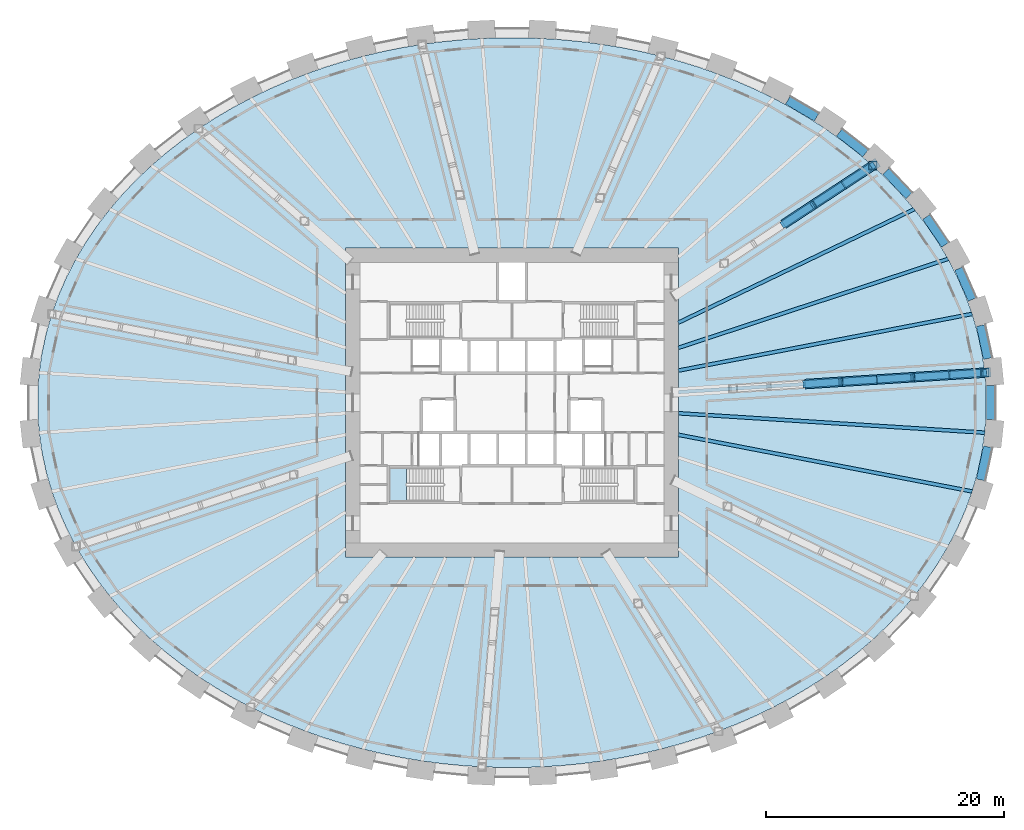
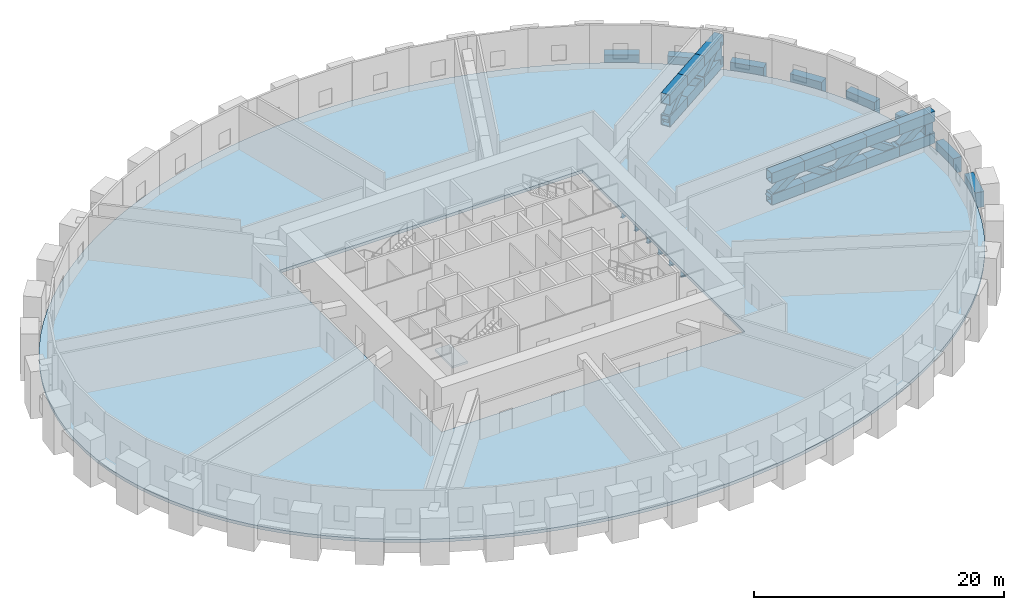
# One storey, part 6 of 14: 26 members, 14 beams, 2 slabs, 1 element without a shape of its own.
"""IFC4 building model written with IfcOpenShell, lengths in metres."""

from ifc_helpers import new_model, si_unit, direction, frame, origin, origin_2d, place, context, subcontext, project, spatial, polyline, rectangle, hollow_rectangle, i_section, outline, extrude, source, transform, mapped, material, layer, layer_set, material_profile, profile_set, type_object, element, aggregate, save


model = new_model("IFC4")

# Units and contexts
model_context = context("Model", 3, precision=1e-05, world=origin(), true_north=direction((0.0, 1.0)))
body_context = subcontext(model_context, "Body", "Model", "MODEL_VIEW")
ifc_project = project(units=[si_unit("LENGTHUNIT", "METRE"), si_unit("AREAUNIT", "SQUARE_METRE"), si_unit("VOLUMEUNIT", "CUBIC_METRE"), si_unit("PLANEANGLEUNIT", "RADIAN"), si_unit("MASSUNIT", "GRAM", prefix="KILO")], contexts=[model_context])

# Site, building, storey
site_placement = place(None, origin())
site = spatial("IfcSite", under=ifc_project, at=site_placement, CompositionType="ELEMENT")
building_placement = place(site_placement, origin())
building = spatial("IfcBuilding", under=site, at=building_placement, Name="Embergate Tower", CompositionType="ELEMENT")
storey_placement = place(building_placement, frame((0.0, 0.0, 101.0)))
storey = spatial("IfcBuildingStorey", under=building, at=storey_placement, Name="L21", CompositionType="ELEMENT", Elevation=101.0)

# Beams
ifc_material_1 = material(Name="Concrete C70", Category="concrete")
ifc_material_profile_1 = material_profile(ifc_material_1, rectangle(XDim=0.75, YDim=1.5, at=origin_2d()), Name="RC 750x1500")
ifc_profile_set_1 = profile_set([ifc_material_profile_1], Name="Concrete C70")
beam_type_1 = type_object("IfcBeamType", Name="Spandrel beam RC 750x1500 C70", PredefinedType="BEAM", material=ifc_profile_set_1)
shared_shape_1 = source(origin(), body_context, "Body", "SweptSolid", [
    extrude(rectangle(XDim=0.75, YDim=1.5, at=origin_2d()), origin(), (0.0, 0.0, 1.0), 2.845703125),
])
for number, where, z_axis, x_axis, name in (
    (1, (40.032958984375, 3.7109375, 0.0), (-0.210448858384, 0.977604868035, 0.0), (-0.977604868035, -0.210448858384, 0.0), "SPN-L21-00"),
    (2, (39.43408203125, -6.492919921875, 0.0), (0.210448858384, 0.977604868035, 0.0), (-0.977604868035, 0.210448858384, 0.0), "SPN-L21-42"),
):
    element("IfcBeam", number, at=place(storey_placement, frame(where, z_axis=z_axis, x_axis=x_axis)), inside=storey, type_object=beam_type_1, Name=name, PredefinedType="BEAM", context=body_context, shape_type="MappedRepresentation", body=[
        mapped(shared_shape_1, transform((0.0, 0.0, 0.0))),
    ])
shared_shape_2 = source(origin(), body_context, "Body", "SweptSolid", [
    extrude(rectangle(XDim=0.75, YDim=1.5, at=origin_2d()), origin(), (0.0, 0.0, 1.0), 2.84130859375),
])
beam_1_placement = place(storey_placement, frame((38.72705078125, 8.680908203125, 0.0), z_axis=(-0.401621037759, 0.915805952169, 0.0), x_axis=(-0.915805952169, -0.401621037759, 0.0)))
element("IfcBeam", 3, at=beam_1_placement, inside=storey, type_object=beam_type_1, Name="SPN-L21-01", PredefinedType="BEAM", context=body_context, shape_type="MappedRepresentation", body=[
    mapped(shared_shape_2, transform((0.0, 0.0, 0.0))),
])
shared_shape_3 = source(origin(), body_context, "Body", "SweptSolid", [
    extrude(rectangle(XDim=0.75, YDim=1.5, at=origin_2d()), origin(), (0.0, 0.0, 1.0), 2.83203125),
])
beam_2_placement = place(storey_placement, frame((36.455078125, 13.285888671875, 0.0), z_axis=(-0.56217796331, 0.827016286157, 0.0), x_axis=(-0.827016286157, -0.56217796331, 0.0)))
element("IfcBeam", 4, at=beam_2_placement, inside=storey, type_object=beam_type_1, Name="SPN-L21-02", PredefinedType="BEAM", context=body_context, shape_type="MappedRepresentation", body=[
    mapped(shared_shape_3, transform((0.0, 0.0, 0.0))),
])
shared_shape_4 = source(origin(), body_context, "Body", "SweptSolid", [
    extrude(rectangle(XDim=0.75, YDim=1.5, at=origin_2d()), origin(), (0.0, 0.0, 1.0), 2.826171875),
])
beam_3_placement = place(storey_placement, frame((33.41796875, 17.4169921875, 0.0), z_axis=(-0.690282598808, 0.723539863299, 0.0), x_axis=(-0.723539863299, -0.690282598808, 0.0)))
element("IfcBeam", 5, at=beam_3_placement, inside=storey, type_object=beam_type_1, Name="SPN-L21-03", PredefinedType="BEAM", context=body_context, shape_type="MappedRepresentation", body=[
    mapped(shared_shape_4, transform((0.0, 0.0, 0.0))),
])
shared_shape_5 = source(origin(), body_context, "Body", "SweptSolid", [
    extrude(rectangle(XDim=0.75, YDim=1.5, at=origin_2d()), origin(), (0.0, 0.0, 1.0), 2.817138671875),
])
beam_4_placement = place(storey_placement, frame((29.7490234375, 20.990966796875, 0.0), z_axis=(-0.788361915434, 0.615211744275, 0.0), x_axis=(-0.615211744275, -0.788361915434, 0.0)))
element("IfcBeam", 6, at=beam_4_placement, inside=storey, type_object=beam_type_1, Name="SPN-L21-04", PredefinedType="BEAM", context=body_context, shape_type="MappedRepresentation", body=[
    mapped(shared_shape_5, transform((0.0, 0.0, 0.0))),
])
shared_shape_6 = source(origin(), body_context, "Body", "SweptSolid", [
    extrude(rectangle(XDim=0.75, YDim=1.5, at=origin_2d()), origin(), (0.0, 0.0, 1.0), 2.813232421875),
])
beam_5_placement = place(storey_placement, frame((25.6259765625, 24.01708984375, 0.0), z_axis=(-0.862007825953, 0.506894967421, 0.0), x_axis=(-0.506894967421, -0.862007825953, 0.0)))
element("IfcBeam", 7, at=beam_5_placement, inside=storey, type_object=beam_type_1, Name="SPN-L21-05", PredefinedType="BEAM", context=body_context, shape_type="MappedRepresentation", body=[
    mapped(shared_shape_6, transform((0.0, 0.0, 0.0))),
])
shared_shape_7 = source(origin(), body_context, "Body", "SweptSolid", [
    extrude(rectangle(XDim=0.75, YDim=1.5, at=origin_2d()), origin(), (0.0, 0.0, 1.0), 2.85205078125),
])
beam_6_placement = place(storey_placement, frame((40.2958984375, -1.426025390625, 0.0), z_axis=(0.0, 1.0, 0.0), x_axis=(-1.0, 0.0, 0.0)))
element("IfcBeam", 8, at=beam_6_placement, inside=storey, type_object=beam_type_1, Name="SPN-L21-43", PredefinedType="BEAM", context=body_context, shape_type="MappedRepresentation", body=[
    mapped(shared_shape_7, transform((0.0, 0.0, 0.0))),
])
ifc_material_2 = material(Name="Steel Q355B", Category="steel")
ifc_material_profile_2 = material_profile(ifc_material_2, i_section(OverallWidth=0.300048828125, OverallDepth=0.587890625, WebThickness=0.011962890625, FlangeThickness=0.02001953125, FilletRadius=0.012939453125, at=origin_2d()), Name="HM 588x300x12x20")
ifc_profile_set_2 = profile_set([ifc_material_profile_2], Name="Steel Q355 grade B")
beam_type_2 = type_object("IfcBeamType", Name="Plant girder HM 588x300x12x20", PredefinedType="BEAM", material=ifc_profile_set_2)
shared_shape_8 = source(origin(), body_context, "Body", "SweptSolid", [
    extrude(i_section(OverallWidth=0.300048828125, OverallDepth=0.587890625, WebThickness=0.011962890625, FlangeThickness=0.02001953125, FilletRadius=0.012939453125, at=origin_2d()), origin(), (0.0, 0.0, 1.0), 25.8330078125),
])
for number, where, z_axis, x_axis, name in (
    (9, (39.781005859375, 2.527099609375, -0.593994140625), (-0.997987282957, -0.063414375786, 0.0), (0.063414375786, -0.997987282957, 0.0), "GIR-L21-00"),
    (10, (39.781005859375, -2.527099609375, -0.593994140625), (-0.997987282957, 0.063414375786, 0.0), (-0.063414375786, -0.997987282957, 0.0), "GIR-L21-43"),
):
    element("IfcBeam", number, at=place(storey_placement, frame(where, z_axis=z_axis, x_axis=x_axis)), inside=storey, type_object=beam_type_2, Name=name, PredefinedType="BEAM", context=body_context, shape_type="MappedRepresentation", body=[
        mapped(shared_shape_8, transform((0.0, 0.0, 0.0))),
    ])
shared_shape_9 = source(origin(), body_context, "Body", "SweptSolid", [
    extrude(i_section(OverallWidth=0.300048828125, OverallDepth=0.587890625, WebThickness=0.011962890625, FlangeThickness=0.02001953125, FilletRadius=0.012939453125, at=origin_2d()), origin(), (0.0, 0.0, 1.0), 25.173583984375),
])
for number, where, z_axis, x_axis, name in (
    (11, (38.718017578125, 7.468994140625, -0.593994140625), (-0.981898721565, -0.189406706822, 0.0), (0.189406706822, -0.981898721565, 0.0), "GIR-L21-01"),
    (12, (38.718017578125, -7.468994140625, -0.593994140625), (-0.981898721565, 0.189406706822, 0.0), (-0.189406706822, -0.981898721565, 0.0), "GIR-L21-42"),
):
    element("IfcBeam", number, at=place(storey_placement, frame(where, z_axis=z_axis, x_axis=x_axis)), inside=storey, type_object=beam_type_2, Name=name, PredefinedType="BEAM", context=body_context, shape_type="MappedRepresentation", body=[
        mapped(shared_shape_9, transform((0.0, 0.0, 0.0))),
    ])
shared_shape_10 = source(origin(), body_context, "Body", "SweptSolid", [
    extrude(i_section(OverallWidth=0.300048828125, OverallDepth=0.587890625, WebThickness=0.011962890625, FlangeThickness=0.02001953125, FilletRadius=0.012939453125, at=origin_2d()), origin(), (0.0, 0.0, 1.0), 23.889892578125),
])
beam_7_placement = place(storey_placement, frame((36.68798828125, 12.09912109375, -0.593994140625), z_axis=(-0.949689151569, -0.313194053891, 0.0), x_axis=(0.313194053891, -0.949689151569, 0.0)))
element("IfcBeam", 13, at=beam_7_placement, inside=storey, type_object=beam_type_2, Name="GIR-L21-02", PredefinedType="BEAM", context=body_context, shape_type="MappedRepresentation", body=[
    mapped(shared_shape_10, transform((0.0, 0.0, 0.0))),
])
shared_shape_11 = source(origin(), body_context, "Body", "SweptSolid", [
    extrude(i_section(OverallWidth=0.300048828125, OverallDepth=0.587890625, WebThickness=0.011962890625, FlangeThickness=0.02001953125, FilletRadius=0.012939453125, at=origin_2d()), origin(), (0.0, 0.0, 1.0), 22.02099609375),
])
beam_8_placement = place(storey_placement, frame((33.843994140625, 16.281982421875, -0.593994140625), z_axis=(-0.90113724632, -0.433533924042, 0.0), x_axis=(0.433533924042, -0.90113724632, 0.0)))
element("IfcBeam", 14, at=beam_8_placement, inside=storey, type_object=beam_type_2, Name="GIR-L21-03", PredefinedType="BEAM", context=body_context, shape_type="MappedRepresentation", body=[
    mapped(shared_shape_11, transform((0.0, 0.0, 0.0))),
])

# Members
ifc_material_profile_3 = material_profile(ifc_material_2, hollow_rectangle(XDim=0.800048828125, YDim=1.0, WallThickness=0.044921875, at=origin_2d()), Name="BOX 1000x800x45")
ifc_profile_set_3 = profile_set([ifc_material_profile_3], Name="Steel Q355 grade B")
member_type_1 = type_object("IfcMemberType", Name="Outrigger chord BOX 1000x800x45", PredefinedType="CHORD", material=ifc_profile_set_3)
shared_shape_12 = source(origin(), body_context, "Body", "SweptSolid", [
    extrude(hollow_rectangle(XDim=0.800048828125, YDim=1.0, WallThickness=0.044921875, at=origin_2d()), origin(), (0.0, 0.0, 1.0), 3.13330078125),
])
for number, where, z_axis, x_axis, name in (
    (15, (27.673095703125, 1.758056640625, 2.610107421875), (0.99800130961, 0.063193243449, 0.0), (-0.063193243449, 0.99800130961, 0.0), "OUT-L21-00-TC04"),
    (16, (30.699951171875, 1.949951171875, 2.610107421875), (0.997981604976, 0.06350367021, 0.0), (-0.06350367021, 0.997981604976, 0.0), "OUT-L21-00-TC05"),
    (17, (33.72705078125, 2.14208984375, 2.610107421875), (0.997981604976, 0.06350367021, 0.0), (-0.06350367021, 0.997981604976, 0.0), "OUT-L21-00-TC06"),
    (18, (27.673095703125, 1.758056640625, 0.5), (0.99800130961, 0.063193243449, 0.0), (-0.063193243449, 0.99800130961, 0.0), "OUT-L21-00-BC03"),
    (19, (30.699951171875, 1.949951171875, 0.5), (0.997981604976, 0.06350367021, 0.0), (-0.06350367021, 0.997981604976, 0.0), "OUT-L21-00-BC04"),
    (20, (33.72705078125, 2.14208984375, 0.5), (0.997981604976, 0.06350367021, 0.0), (-0.06350367021, 0.997981604976, 0.0), "OUT-L21-00-BC05"),
):
    element("IfcMember", number, at=place(storey_placement, frame(where, z_axis=z_axis, x_axis=x_axis)), inside=storey, type_object=member_type_1, Name=name, PredefinedType="CHORD", context=body_context, shape_type="MappedRepresentation", body=[
        mapped(shared_shape_12, transform((0.0, 0.0, 0.0))),
    ])
shared_shape_13 = source(origin(), body_context, "Body", "SweptSolid", [
    extrude(hollow_rectangle(XDim=0.800048828125, YDim=1.0, WallThickness=0.044921875, at=origin_2d()), origin(), (0.0, 0.0, 1.0), 3.13427734375),
])
for number, where, z_axis, x_axis, name in (
    (21, (24.64501953125, 1.56494140625, 2.610107421875), (0.997982861284, 0.063483923817, 0.0), (-0.063483923817, 0.997982861284, 0.0), "OUT-L21-00-TC03"),
    (22, (24.64501953125, 1.56494140625, 0.5), (0.997982861284, 0.063483923817, 0.0), (-0.063483923817, 0.997982861284, 0.0), "OUT-L21-00-BC02"),
):
    element("IfcMember", number, at=place(storey_placement, frame(where, z_axis=z_axis, x_axis=x_axis)), inside=storey, type_object=member_type_1, Name=name, PredefinedType="CHORD", context=body_context, shape_type="MappedRepresentation", body=[
        mapped(shared_shape_13, transform((0.0, 0.0, 0.0))),
    ])
shared_shape_14 = source(origin(), body_context, "Body", "SweptSolid", [
    extrude(hollow_rectangle(XDim=0.800048828125, YDim=1.0, WallThickness=0.044921875, at=origin_2d()), origin(), (0.0, 0.0, 1.0), 3.533203125),
])
for number, where, z_axis, x_axis, name in (
    (23, (36.7548828125, 2.3349609375, 2.610107421875), (0.997986150113, 0.063432201468, 0.0), (-0.063432201468, 0.997986150113, 0.0), "OUT-L21-00-TC07"),
    (24, (36.7548828125, 2.3349609375, 0.5), (0.997986150113, 0.063432201468, 0.0), (-0.063432201468, 0.997986150113, 0.0), "OUT-L21-00-BC06"),
):
    element("IfcMember", number, at=place(storey_placement, frame(where, z_axis=z_axis, x_axis=x_axis)), inside=storey, type_object=member_type_1, Name=name, PredefinedType="CHORD", context=body_context, shape_type="MappedRepresentation", body=[
        mapped(shared_shape_14, transform((0.0, 0.0, 0.0))),
    ])
ifc_material_profile_4 = material_profile(ifc_material_2, hollow_rectangle(XDim=0.699951171875, YDim=0.699951171875, WallThickness=0.031982421875, at=origin_2d()), Name="BOX 700x700x32")
ifc_profile_set_4 = profile_set([ifc_material_profile_4], Name="Steel Q355 grade B")
member_type_2 = type_object("IfcMemberType", Name="Outrigger post BOX 700x700x32", PredefinedType="POST", material=ifc_profile_set_4)
shared_shape_15 = source(origin(), body_context, "Body", "SweptSolid", [
    extrude(hollow_rectangle(XDim=0.699951171875, YDim=0.699951171875, WallThickness=0.031982421875, at=origin_2d()), origin(), (0.0, 0.0, 1.0), 2.110107421875),
])
for number, where, z_axis, x_axis, name in (
    (25, (39.781982421875, 2.527099609375, 0.5), (0.0, 0.0, 1.0), (1.0, 0.0, 0.0), "OUT-L21-00-PO07"),
    (26, (30.35205078125, 19.943115234375, 0.5), (0.0, 0.0, 1.0), (1.0, 0.0, 0.0), "OUT-L21-04-PO05"),
):
    element("IfcMember", number, at=place(storey_placement, frame(where, z_axis=z_axis, x_axis=x_axis)), inside=storey, type_object=member_type_2, Name=name, PredefinedType="POST", context=body_context, shape_type="MappedRepresentation", body=[
        mapped(shared_shape_15, transform((0.0, 0.0, 0.0))),
    ])
ifc_material_profile_5 = material_profile(ifc_material_2, hollow_rectangle(XDim=0.60009765625, YDim=0.60009765625, WallThickness=0.028076171875, at=origin_2d()), Name="BOX 600x600x28")
ifc_profile_set_5 = profile_set([ifc_material_profile_5], Name="Steel Q355 grade B")
member_type_3 = type_object("IfcMemberType", Name="Outrigger diagonal BOX 600x600x28", PredefinedType="BRACE", material=ifc_profile_set_5)
shared_shape_16 = source(origin(), body_context, "Body", "SweptSolid", [
    extrude(hollow_rectangle(XDim=0.60009765625, YDim=0.60009765625, WallThickness=0.028076171875, at=origin_2d()), origin(), (0.0, 0.0, 1.0), 3.69482421875),
])
member_1_placement = place(storey_placement, frame((27.673095703125, 1.758056640625, 2.610107421875), z_axis=(0.819229869053, 0.051936979922, -0.571108546397), x_axis=(-0.063270301008, 0.997996427353, 0.0)))
element("IfcMember", 27, at=member_1_placement, inside=storey, type_object=member_type_3, Name="OUT-L21-00-DG03", PredefinedType="BRACE", context=body_context, shape_type="MappedRepresentation", body=[
    mapped(shared_shape_16, transform((0.0, 0.0, 0.0))),
])
shared_shape_17 = source(origin(), body_context, "Body", "SweptSolid", [
    extrude(hollow_rectangle(XDim=0.60009765625, YDim=0.60009765625, WallThickness=0.028076171875, at=origin_2d()), origin(), (0.0, 0.0, 1.0), 3.695068359375),
])
for number, where, z_axis, x_axis, name in (
    (28, (30.699951171875, 1.949951171875, 0.5), (0.819248784688, 0.052000064001, 0.571075671107), (-0.063345385905, 0.997991664336, 0.0), "OUT-L21-00-DG04"),
    (29, (36.7548828125, 2.3349609375, 0.5), (0.819248784688, 0.052000064001, 0.571075671107), (-0.063345385905, 0.997991664336, 0.0), "OUT-L21-00-DG06"),
):
    element("IfcMember", number, at=place(storey_placement, frame(where, z_axis=z_axis, x_axis=x_axis)), inside=storey, type_object=member_type_3, Name=name, PredefinedType="BRACE", context=body_context, shape_type="MappedRepresentation", body=[
        mapped(shared_shape_17, transform((0.0, 0.0, 0.0))),
    ])
shared_shape_18 = source(origin(), body_context, "Body", "SweptSolid", [
    extrude(hollow_rectangle(XDim=0.60009765625, YDim=0.60009765625, WallThickness=0.028076171875, at=origin_2d()), origin(), (0.0, 0.0, 1.0), 3.69580078125),
])
member_2_placement = place(storey_placement, frame((24.64501953125, 1.56494140625, 0.5), z_axis=(0.819324381086, 0.052252324876, 0.570944176871), x_axis=(-0.063645593654, 0.997972563956, 0.0)))
element("IfcMember", 30, at=member_2_placement, inside=storey, type_object=member_type_3, Name="OUT-L21-00-DG02", PredefinedType="BRACE", context=body_context, shape_type="MappedRepresentation", body=[
    mapped(shared_shape_18, transform((0.0, 0.0, 0.0))),
])
shared_shape_19 = source(origin(), body_context, "Body", "SweptSolid", [
    extrude(hollow_rectangle(XDim=0.60009765625, YDim=0.60009765625, WallThickness=0.028076171875, at=origin_2d()), origin(), (0.0, 0.0, 1.0), 3.695556640625),
])
member_3_placement = place(storey_placement, frame((33.72705078125, 2.14208984375, 2.610107421875), z_axis=(0.819305491905, 0.052189270973, -0.57097704939), x_axis=(-0.063570561488, 0.997977346292, 0.0)))
element("IfcMember", 31, at=member_3_placement, inside=storey, type_object=member_type_3, Name="OUT-L21-00-DG05", PredefinedType="BRACE", context=body_context, shape_type="MappedRepresentation", body=[
    mapped(shared_shape_19, transform((0.0, 0.0, 0.0))),
])
shared_shape_20 = source(origin(), body_context, "Body", "SweptSolid", [
    extrude(hollow_rectangle(XDim=0.800048828125, YDim=1.0, WallThickness=0.044921875, at=origin_2d()), origin(), (0.0, 0.0, 1.0), 3.0927734375),
])
for number, where, z_axis, x_axis, name in (
    (32, (25.34912109375, 16.656005859375, 2.610107421875), (0.835807942057, 0.549021933983, 0.0), (-0.549021933983, 0.835807942057, 0.0), "OUT-L21-04-TC04"),
    (33, (25.34912109375, 16.656005859375, 0.5), (0.835807942057, 0.549021933983, 0.0), (-0.549021933983, 0.835807942057, 0.0), "OUT-L21-04-BC03"),
):
    element("IfcMember", number, at=place(storey_placement, frame(where, z_axis=z_axis, x_axis=x_axis)), inside=storey, type_object=member_type_1, Name=name, PredefinedType="CHORD", context=body_context, shape_type="MappedRepresentation", body=[
        mapped(shared_shape_20, transform((0.0, 0.0, 0.0))),
    ])
shared_shape_21 = source(origin(), body_context, "Body", "SweptSolid", [
    extrude(hollow_rectangle(XDim=0.800048828125, YDim=1.0, WallThickness=0.044921875, at=origin_2d()), origin(), (0.0, 0.0, 1.0), 3.09423828125),
])
for number, where, z_axis, x_axis, name in (
    (34, (22.846923828125, 15.011962890625, 2.610107421875), (0.835782031951, 0.549061376413, 0.0), (-0.549061376413, 0.835782031951, 0.0), "OUT-L21-04-TC03"),
    (35, (22.846923828125, 15.011962890625, 0.5), (0.835782031951, 0.549061376413, 0.0), (-0.549061376413, 0.835782031951, 0.0), "OUT-L21-04-BC02"),
):
    element("IfcMember", number, at=place(storey_placement, frame(where, z_axis=z_axis, x_axis=x_axis)), inside=storey, type_object=member_type_1, Name=name, PredefinedType="CHORD", context=body_context, shape_type="MappedRepresentation", body=[
        mapped(shared_shape_21, transform((0.0, 0.0, 0.0))),
    ])
shared_shape_22 = source(origin(), body_context, "Body", "SweptSolid", [
    extrude(hollow_rectangle(XDim=0.800048828125, YDim=1.0, WallThickness=0.044921875, at=origin_2d()), origin(), (0.0, 0.0, 1.0), 3.494140625),
])
for number, where, z_axis, x_axis, name in (
    (36, (27.85009765625, 18.299072265625, 2.610107421875), (0.835687154371, 0.54920577202, 0.0), (-0.54920577202, 0.835687154371, 0.0), "OUT-L21-04-TC05"),
    (37, (27.85009765625, 18.299072265625, 0.5), (0.835687154371, 0.54920577202, 0.0), (-0.54920577202, 0.835687154371, 0.0), "OUT-L21-04-BC04"),
):
    element("IfcMember", number, at=place(storey_placement, frame(where, z_axis=z_axis, x_axis=x_axis)), inside=storey, type_object=member_type_1, Name=name, PredefinedType="CHORD", context=body_context, shape_type="MappedRepresentation", body=[
        mapped(shared_shape_22, transform((0.0, 0.0, 0.0))),
    ])
shared_shape_23 = source(origin(), body_context, "Body", "SweptSolid", [
    extrude(hollow_rectangle(XDim=0.60009765625, YDim=0.60009765625, WallThickness=0.028076171875, at=origin_2d()), origin(), (0.0, 0.0, 1.0), 3.66259765625),
])
member_4_placement = place(storey_placement, frame((27.85009765625, 18.299072265625, 0.5), z_axis=(0.683094190833, 0.448863805725, 0.576110762233), x_axis=(-0.549155104637, 0.835720450301, 0.0)))
element("IfcMember", 38, at=member_4_placement, inside=storey, type_object=member_type_3, Name="OUT-L21-04-DG04", PredefinedType="BRACE", context=body_context, shape_type="MappedRepresentation", body=[
    mapped(shared_shape_23, transform((0.0, 0.0, 0.0))),
])
shared_shape_24 = source(origin(), body_context, "Body", "SweptSolid", [
    extrude(hollow_rectangle(XDim=0.60009765625, YDim=0.60009765625, WallThickness=0.028076171875, at=origin_2d()), origin(), (0.0, 0.0, 1.0), 3.66162109375),
])
member_5_placement = place(storey_placement, frame((25.34912109375, 16.656005859375, 2.610107421875), z_axis=(0.683033693535, 0.448732600301, -0.576284675246), x_axis=(-0.549076946144, 0.835771803313, 0.0)))
element("IfcMember", 39, at=member_5_placement, inside=storey, type_object=member_type_3, Name="OUT-L21-04-DG03", PredefinedType="BRACE", context=body_context, shape_type="MappedRepresentation", body=[
    mapped(shared_shape_24, transform((0.0, 0.0, 0.0))),
])
shared_shape_25 = source(origin(), body_context, "Body", "SweptSolid", [
    extrude(hollow_rectangle(XDim=0.60009765625, YDim=0.60009765625, WallThickness=0.028076171875, at=origin_2d()), origin(), (0.0, 0.0, 1.0), 3.662841796875),
])
member_6_placement = place(storey_placement, frame((22.846923828125, 15.011962890625, 0.5), z_axis=(0.683129741719, 0.448843368205, 0.576084530947), x_axis=(-0.549117680245, 0.835745040812, 0.0)))
element("IfcMember", 40, at=member_6_placement, inside=storey, type_object=member_type_3, Name="OUT-L21-04-DG02", PredefinedType="BRACE", context=body_context, shape_type="MappedRepresentation", body=[
    mapped(shared_shape_25, transform((0.0, 0.0, 0.0))),
])

# Slab
ifc_material_3 = material(Name="Concrete C50", Category="concrete")
ifc_layer_1 = layer(ifc_material_3, 0.300048828125)
ifc_layer_set_1 = layer_set([ifc_layer_1], Name="Concrete C50")
slab_type_1 = type_object("IfcSlabType", Name="Plant floor slab C50 300", PredefinedType="FLOOR", material=ifc_layer_set_1)
shared_shape_26 = source(origin(), body_context, "Body", "SweptSolid", [
    extrude(outline(polyline([(0.0, 0.0), (1.68798828125, 0.0), (3.375, 0.054931640625), (5.06298828125, 0.1650390625), (6.742919921875, 0.330078125), (8.4130859375, 0.550048828125), (10.0849609375, 0.826904296875), (11.739990234375, 1.158935546875), (13.375, 1.544921875), (15.013916015625, 1.992919921875), (16.6259765625, 2.494873046875), (18.2080078125, 3.050048828125), (19.7919921875, 3.673095703125), (21.339111328125, 4.348876953125), (22.844970703125, 5.077880859375), (24.35009765625, 5.880859375), (25.804931640625, 6.737060546875), (27.2080078125, 7.64306640625), (28.60107421875, 8.632080078125), (29.930908203125, 9.669921875), (31.196044921875, 10.755859375), (32.43798828125, 11.931884765625), (33.60302734375, 13.153076171875), (34.68798828125, 14.41796875), (35.72802734375, 15.77392578125), (36.677001953125, 17.1689453125), (37.531982421875, 18.599853515625), (38.31494140625, 20.114990234375), (38.991943359375, 21.659912109375), (39.56201171875, 23.22998046875), (40.032958984375, 24.862060546875), (40.387939453125, 26.510986328125), (40.6259765625, 28.171875), (40.74609375, 29.85595703125), (40.74609375, 31.5419921875), (40.6259765625, 33.22607421875), (40.387939453125, 34.886962890625), (40.032958984375, 36.535888671875), (39.56201171875, 38.16796875), (38.991943359375, 39.738037109375), (38.31494140625, 41.282958984375), (37.531982421875, 42.798095703125), (36.677001953125, 44.22900390625), (35.72802734375, 45.6240234375), (34.68798828125, 46.97998046875), (33.60302734375, 48.244873046875), (32.43798828125, 49.466064453125), (31.196044921875, 50.64208984375), (29.930908203125, 51.72802734375), (28.60107421875, 52.765869140625), (27.2080078125, 53.7548828125), (25.804931640625, 54.660888671875), (24.35009765625, 55.51708984375), (22.844970703125, 56.320068359375), (21.339111328125, 57.049072265625), (19.7919921875, 57.724853515625), (18.2080078125, 58.347900390625), (16.6259765625, 58.903076171875), (15.013916015625, 59.405029296875), (13.375, 59.85302734375), (11.739990234375, 60.239013671875), (10.0849609375, 60.571044921875), (8.4130859375, 60.847900390625), (6.742919921875, 61.06787109375), (5.06298828125, 61.23291015625), (3.375, 61.343017578125), (1.68798828125, 61.39794921875), (0.0, 61.39794921875), (-1.68701171875, 61.343017578125), (-3.375, 61.23291015625), (-5.054931640625, 61.06787109375), (-6.72509765625, 60.847900390625), (-8.39697265625, 60.571044921875), (-10.052001953125, 60.239013671875), (-11.68701171875, 59.85302734375), (-13.325927734375, 59.405029296875), (-14.93798828125, 58.903076171875), (-16.52001953125, 58.347900390625), (-18.10400390625, 57.724853515625), (-19.651123046875, 57.049072265625), (-21.156982421875, 56.320068359375), (-22.662109375, 55.51708984375), (-24.116943359375, 54.660888671875), (-25.52001953125, 53.7548828125), (-26.9130859375, 52.765869140625), (-28.242919921875, 51.72802734375), (-29.508056640625, 50.64208984375), (-30.75, 49.466064453125), (-31.9150390625, 48.244873046875), (-33.0, 46.97998046875), (-34.0400390625, 45.6240234375), (-34.989013671875, 44.22900390625), (-35.843994140625, 42.798095703125), (-36.626953125, 41.282958984375), (-37.303955078125, 39.738037109375), (-37.8740234375, 38.16796875), (-38.344970703125, 36.535888671875), (-38.699951171875, 34.886962890625), (-38.93798828125, 33.22607421875), (-39.05810546875, 31.5419921875), (-39.05810546875, 29.85595703125), (-38.93798828125, 28.171875), (-38.699951171875, 26.510986328125), (-38.344970703125, 24.862060546875), (-37.8740234375, 23.22998046875), (-37.303955078125, 21.659912109375), (-36.626953125, 20.114990234375), (-35.843994140625, 18.599853515625), (-34.989013671875, 17.1689453125), (-34.0400390625, 15.77392578125), (-33.0, 14.41796875), (-31.9150390625, 13.153076171875), (-30.75, 11.931884765625), (-29.508056640625, 10.755859375), (-28.242919921875, 9.669921875), (-26.9130859375, 8.632080078125), (-25.52001953125, 7.64306640625), (-24.116943359375, 6.737060546875), (-22.662109375, 5.880859375), (-21.156982421875, 5.077880859375), (-19.651123046875, 4.348876953125), (-18.10400390625, 3.673095703125), (-16.52001953125, 3.050048828125), (-14.93798828125, 2.494873046875), (-13.325927734375, 1.992919921875), (-11.68701171875, 1.544921875), (-10.052001953125, 1.158935546875), (-8.39697265625, 0.826904296875), (-6.72509765625, 0.550048828125), (-5.054931640625, 0.330078125), (-3.375, 0.1650390625), (-1.68701171875, 0.054931640625), (0.0, 0.0)]), holes=[polyline([(-13.156005859375, 17.698974609375), (-13.156005859375, 43.698974609375), (14.843994140625, 43.698974609375), (14.843994140625, 17.698974609375), (-13.156005859375, 17.698974609375)])]), origin(), (0.0, 0.0, 1.0), 0.300048828125),
])
slab_1_placement = place(storey_placement, frame((-0.843994140625, -30.698974609375, -0.300048828125)))
element("IfcSlab", 41, at=slab_1_placement, inside=storey, type_object=slab_type_1, Name="SLB-L21-00", PredefinedType="FLOOR", context=body_context, shape_type="MappedRepresentation", body=[
    mapped(shared_shape_26, transform((0.0, 0.0, 0.0))),
])

# Stair, slab
ifc_material_4 = material(Name="Exit stair")
stair_type = type_object("IfcStairType", Name="Exit stair", PredefinedType="HALF_TURN_STAIR", material=ifc_material_4)
stair_placement = place(storey_placement, origin())
stair = element("IfcStair", 42, at=stair_placement, inside=storey, type_object=stair_type, Name="L21 Exit stair 3", PredefinedType="HALF_TURN_STAIR")
ifc_material_5 = material(Name="Concrete C40", Category="concrete")
ifc_layer_2 = layer(ifc_material_5, 0.199951171875)
ifc_layer_set_2 = layer_set([ifc_layer_2], Name="Concrete C40")
slab_type_2 = type_object("IfcSlabType", Name="Stair landing reinforced concrete", PredefinedType="LANDING", material=ifc_layer_set_2)
shared_shape_27 = source(origin(), body_context, "Body", "SweptSolid", [
    extrude(outline(polyline([(0.0, 0.0), (1.429931640625, 0.0), (1.429931640625, 2.800048828125), (0.0, 2.800048828125), (0.0, 0.0)])), origin(), (0.0, 0.0, 1.0), 0.199951171875),
])
slab_2_placement = place(storey_placement, frame((-10.300048828125, -8.300048828125, 2.050048828125)))
slab_2 = element("IfcSlab", 43, at=slab_2_placement, type_object=slab_type_2, Name="ST3 landing 1", PredefinedType="LANDING", context=body_context, shape_type="MappedRepresentation", body=[
    mapped(shared_shape_27, transform((0.0, 0.0, 0.0))),
])
aggregate(stair, [slab_2])

save(model, "model.ifc")
